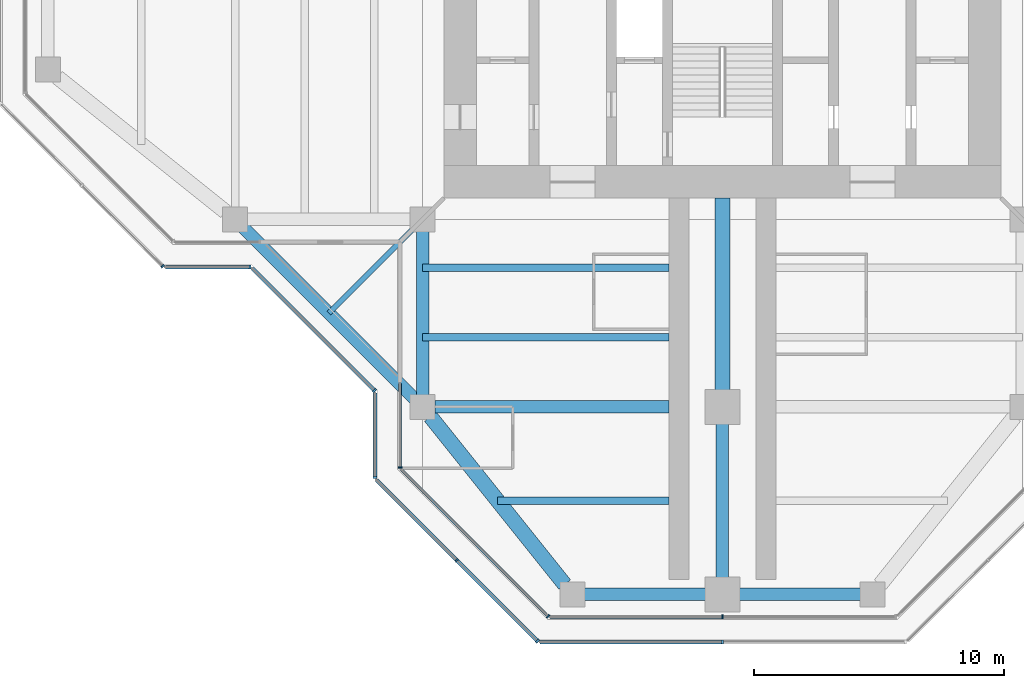
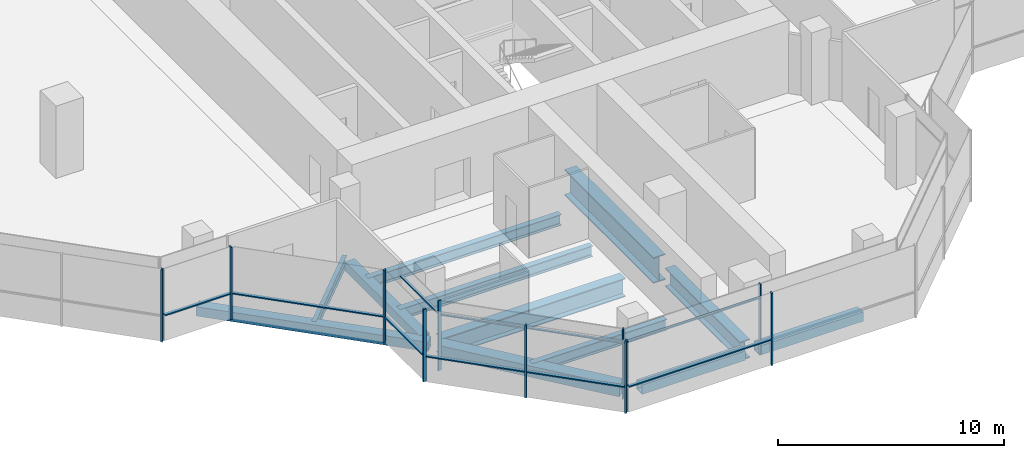
# One storey, part 2 of 15: 19 members, 12 beams, 9 elements without a shape of their own.
"""IFC4 building model written with IfcOpenShell, lengths in metres."""

from ifc_helpers import new_model, si_unit, direction, frame, origin, origin_2d, place, context, subcontext, project, spatial, rectangle, hollow_rectangle, i_section, extrude, material, material_profile, profile_set, type_object, element, aggregate, save


model = new_model("IFC4")

# Units and contexts
model_context = context("Model", 3, precision=1e-05, world=origin(), true_north=direction((0.0, 1.0)))
body_context = subcontext(model_context, "Body", "Model", "MODEL_VIEW")
ifc_project = project(units=[si_unit("LENGTHUNIT", "METRE"), si_unit("AREAUNIT", "SQUARE_METRE"), si_unit("VOLUMEUNIT", "CUBIC_METRE"), si_unit("PLANEANGLEUNIT", "RADIAN"), si_unit("MASSUNIT", "GRAM", prefix="KILO")], contexts=[model_context])

# Site, building, storey
site_placement = place(None, origin())
site = spatial("IfcSite", under=ifc_project, at=site_placement, CompositionType="ELEMENT")
building_placement = place(site_placement, origin())
building = spatial("IfcBuilding", under=site, at=building_placement, Name="Mizan Broadcast Tower", CompositionType="ELEMENT")
storey_placement = place(building_placement, frame((0.0, 0.0, 275.10009765625)))
storey = spatial("IfcBuildingStorey", under=building, at=storey_placement, Name="L65", CompositionType="ELEMENT", Elevation=275.10009765625)

# Beams
ifc_material_1 = material(Name="Steel S355", Category="steel")
ifc_material_profile_1 = material_profile(ifc_material_1, hollow_rectangle(XDim=0.5, YDim=0.5, WallThickness=0.030029296875, at=origin_2d()), Name="BOX 500x500x30")
ifc_profile_set_1 = profile_set([ifc_material_profile_1], Name="Steel S355")
beam_type_1 = type_object("IfcBeamType", Name="EDGE BEAM BOX 500x500x30", PredefinedType="SPANDREL", material=ifc_profile_set_1)
beam_1_placement = place(storey_placement, frame((-12.0, -12.449951171875, -0.380126953125), z_axis=(0.0, -1.0, 0.0), x_axis=(1.0, 0.0, 0.0)))
element("IfcBeam", 1, at=beam_1_placement, inside=storey, type_object=beam_type_1, Name="Edge beam BOX 500x500x30 L65 south arm", PredefinedType="SPANDREL", context=body_context, shape_type="SweptSolid", body=[
    extrude(hollow_rectangle(XDim=0.5, YDim=0.5, WallThickness=0.030029296875, at=origin_2d()), origin(), (0.0, 0.0, 1.0), 6.60009765625),
])
for number, where, z_axis, x_axis, name in (
    (2, (-5.639892578125, -27.0, -0.380126953125), (1.0, 0.0, 0.0), (0.0, 1.0, 0.0), "Edge beam BOX 500x500x30 L65 south arm"),
    (3, (5.639892578125, -27.0, -0.380126953125), (-1.0, 0.0, 0.0), (0.0, -1.0, 0.0), "Edge beam BOX 500x500x30 L65 south arm"),
):
    element("IfcBeam", number, at=place(storey_placement, frame(where, z_axis=z_axis, x_axis=x_axis)), inside=storey, type_object=beam_type_1, Name=name, PredefinedType="SPANDREL", context=body_context, shape_type="SweptSolid", body=[
        extrude(hollow_rectangle(XDim=0.5, YDim=0.5, WallThickness=0.030029296875, at=origin_2d()), origin(), (0.0, 0.0, 1.0), 5.27978515625),
    ])
beam_2_placement = place(storey_placement, frame((-19.5, -12.0, -0.380126953125), z_axis=(0.707106781187, -0.707106781187, 0.0), x_axis=(0.707106781187, 0.707106781187, 0.0)))
element("IfcBeam", 4, at=beam_2_placement, inside=storey, type_object=beam_type_1, Name="Winter garden edge beam L65 W", PredefinedType="SPANDREL", context=body_context, shape_type="SweptSolid", body=[
    extrude(hollow_rectangle(XDim=0.5, YDim=0.5, WallThickness=0.030029296875, at=origin_2d()), origin(), (0.0, 0.0, 1.0), 10.606689453125),
])
ifc_material_2 = material(Name="Steel S355", Category="steel")
ifc_material_profile_2 = material_profile(ifc_material_2, hollow_rectangle(XDim=0.60009765625, YDim=0.60009765625, WallThickness=0.030029296875, at=origin_2d()), Name="BOX 600x600x30")
ifc_profile_set_2 = profile_set([ifc_material_profile_2], Name="Steel S355")
beam_type_2 = type_object("IfcBeamType", Name="EDGE BEAM BOX 600x600x30", PredefinedType="SPANDREL", material=ifc_profile_set_2)
beam_3_placement = place(storey_placement, frame((-11.687744140625, -19.890380859375, -0.43017578125), z_axis=(0.62470196761, -0.780863273348, 0.0), x_axis=(0.780863273348, 0.62470196761, 0.0)))
element("IfcBeam", 5, at=beam_3_placement, inside=storey, type_object=beam_type_2, Name="Edge beam BOX 600x600x30 L65 south arm", PredefinedType="SPANDREL", context=body_context, shape_type="SweptSolid", body=[
    extrude(hollow_rectangle(XDim=0.60009765625, YDim=0.60009765625, WallThickness=0.030029296875, at=origin_2d()), origin(), (0.0, 0.0, 1.0), 8.60498046875),
])
ifc_material_3 = material(Name="Steel S460", Category="steel")
ifc_material_profile_3 = material_profile(ifc_material_3, i_section(OverallWidth=0.5, OverallDepth=1.0, WebThickness=0.02490234375, FlangeThickness=0.050048828125, at=origin_2d()), Name="WPG 1000x500")
ifc_profile_set_3 = profile_set([ifc_material_profile_3], Name="Steel S460")
beam_type_3 = type_object("IfcBeamType", Name="GIRDER WPG 1000x500", PredefinedType="BEAM", material=ifc_profile_set_3)
beam_4_placement = place(storey_placement, frame((0.0, -19.949951171875, -0.630126953125), z_axis=(0.0, -1.0, 0.0), x_axis=(1.0, 0.0, 0.0)))
element("IfcBeam", 6, at=beam_4_placement, inside=storey, type_object=beam_type_3, Name="Girder WPG 1000x500 L65 south arm", PredefinedType="BEAM", context=body_context, shape_type="SweptSolid", body=[
    extrude(i_section(OverallWidth=0.5, OverallDepth=1.0, WebThickness=0.02490234375, FlangeThickness=0.050048828125, at=origin_2d()), origin(), (0.0, 0.0, 1.0), 6.60009765625),
])
beam_5_placement = place(storey_placement, frame((-11.5, -19.5, -0.630126953125), z_axis=(1.0, 0.0, 0.0), x_axis=(0.0, 1.0, 0.0)))
element("IfcBeam", 7, at=beam_5_placement, inside=storey, type_object=beam_type_3, Name="Girder WPG 1000x500 L65 south arm", PredefinedType="BEAM", context=body_context, shape_type="SweptSolid", body=[
    extrude(i_section(OverallWidth=0.5, OverallDepth=1.0, WebThickness=0.02490234375, FlangeThickness=0.050048828125, at=origin_2d()), origin(), (0.0, 0.0, 1.0), 9.35009765625),
])
ifc_material_4 = material(Name="Steel S460", Category="steel")
ifc_material_profile_4 = material_profile(ifc_material_4, i_section(OverallWidth=0.60009765625, OverallDepth=1.39990234375, WebThickness=0.02490234375, FlangeThickness=0.06005859375, at=origin_2d()), Name="WPG 1400x600")
ifc_profile_set_4 = profile_set([ifc_material_profile_4], Name="Steel S460")
beam_type_4 = type_object("IfcBeamType", Name="GIRDER WPG 1400x600", PredefinedType="BEAM", material=ifc_profile_set_4)
beam_6_placement = place(storey_placement, frame((0.0, -11.14990234375, -0.830078125), z_axis=(0.0, -1.0, 0.0), x_axis=(1.0, 0.0, 0.0)))
element("IfcBeam", 8, at=beam_6_placement, inside=storey, type_object=beam_type_4, Name="Girder WPG 1400x600 L65 south arm", PredefinedType="BEAM", context=body_context, shape_type="SweptSolid", body=[
    extrude(i_section(OverallWidth=0.60009765625, OverallDepth=1.39990234375, WebThickness=0.02490234375, FlangeThickness=0.06005859375, at=origin_2d()), origin(), (0.0, 0.0, 1.0), 7.84912109375),
])

# Curtain wall, member
ifc_material_5 = material(Name="Aluminium framed glazing", Category="aluminium")
curtain_wall_type_1 = type_object("IfcCurtainWallType", Name="INNER SKIN TOP ZONE", PredefinedType="USERDEFINED", material=ifc_material_5)
curtain_wall_1_placement = place(storey_placement, origin())
curtain_wall_1 = element("IfcCurtainWall", 9, at=curtain_wall_1_placement, inside=storey, type_object=curtain_wall_type_1, Name="Inner skin top zone L65 S side", ObjectType="INNER SKIN TOP ZONE", PredefinedType="USERDEFINED")
ifc_material_6 = material(Name="Aluminium, pale anodised", Category="aluminium")
ifc_material_profile_5 = material_profile(ifc_material_6, rectangle(XDim=0.159912109375, YDim=0.06005859375, at=origin_2d()), Name="MULLION 160x60")
ifc_profile_set_5 = profile_set([ifc_material_profile_5], Name="Aluminium, pale anodised")
member_type_1 = type_object("IfcMemberType", Name="INNER SKIN MULLION 60x160", PredefinedType="MULLION", material=ifc_profile_set_5)
member_1_placement = place(storey_placement, frame((-12.89990234375, -21.928466796875, 0.0), z_axis=(0.0, 0.0, 1.0), x_axis=(1.0, 0.0, 0.0)))
member_1 = element("IfcMember", 10, at=member_1_placement, type_object=member_type_1, Name="Inner skin top zone L65 S side mullion 2", PredefinedType="MULLION", context=body_context, shape_type="SweptSolid", body=[
    extrude(rectangle(XDim=0.159912109375, YDim=0.06005859375, at=origin_2d()), origin(), (0.0, 0.0, 1.0), 3.77001953125),
])

curtain_wall_2_placement = place(storey_placement, origin())
curtain_wall_2 = element("IfcCurtainWall", 11, at=curtain_wall_2_placement, inside=storey, type_object=curtain_wall_type_1, Name="Inner skin top zone L65 S chamfer", ObjectType="INNER SKIN TOP ZONE", PredefinedType="USERDEFINED")
member_2_placement = place(storey_placement, frame((-6.979736328125, -27.87890625, 0.0), z_axis=(0.0, 0.0, 1.0), x_axis=(0.707106781187, 0.707106781187, 0.0)))
member_2 = element("IfcMember", 12, at=member_2_placement, type_object=member_type_1, Name="Inner skin top zone L65 S chamfer mullion 2", PredefinedType="MULLION", context=body_context, shape_type="SweptSolid", body=[
    extrude(rectangle(XDim=0.159912109375, YDim=0.06005859375, at=origin_2d()), origin(), (0.0, 0.0, 1.0), 3.77001953125),
])

curtain_wall_3_placement = place(storey_placement, origin())
curtain_wall_3 = element("IfcCurtainWall", 13, at=curtain_wall_3_placement, inside=storey, type_object=curtain_wall_type_1, Name="Inner skin top zone L65 S end", ObjectType="INNER SKIN TOP ZONE", PredefinedType="USERDEFINED")
member_3_placement = place(storey_placement, frame((0.0, -27.89990234375, 0.0), z_axis=(0.0, 0.0, 1.0), x_axis=(0.0, 1.0, 0.0)))
member_3 = element("IfcMember", 14, at=member_3_placement, type_object=member_type_1, Name="Inner skin top zone L65 S end mullion 2", PredefinedType="MULLION", context=body_context, shape_type="SweptSolid", body=[
    extrude(rectangle(XDim=0.159912109375, YDim=0.06005859375, at=origin_2d()), origin(), (0.0, 0.0, 1.0), 3.77001953125),
])

# Member
ifc_material_7 = material(Name="Aluminium, pale anodised", Category="aluminium")
ifc_material_profile_6 = material_profile(ifc_material_7, rectangle(XDim=0.1201171875, YDim=0.06005859375, at=origin_2d()), Name="TRANSOM 120x60")
ifc_profile_set_6 = profile_set([ifc_material_profile_6], Name="Aluminium, pale anodised")
member_type_2 = type_object("IfcMemberType", Name="INNER SKIN TRANSOM 60x120", PredefinedType="USERDEFINED", material=ifc_profile_set_6)
member_4_placement = place(storey_placement, frame((-12.89990234375, -18.56005859375, 3.02978515625), z_axis=(0.0, -1.0, 0.0), x_axis=(1.0, 0.0, 0.0)))
member_4 = element("IfcMember", 15, at=member_4_placement, type_object=member_type_2, Name="Inner skin top zone L65 S side transom 1.1", ObjectType="TRANSOM", PredefinedType="USERDEFINED", context=body_context, shape_type="SweptSolid", body=[
    extrude(rectangle(XDim=0.1201171875, YDim=0.06005859375, at=origin_2d()), origin(), (0.0, 0.0, 1.0), 3.338623046875),
])

aggregate(curtain_wall_1, [member_1, member_4])

member_5_placement = place(storey_placement, frame((-12.857666015625, -22.0009765625, 3.02978515625), z_axis=(0.707106781187, -0.707106781187, 0.0), x_axis=(0.707106781187, 0.707106781187, 0.0)))
member_5 = element("IfcMember", 16, at=member_5_placement, type_object=member_type_2, Name="Inner skin top zone L65 S chamfer transom 1.1", ObjectType="TRANSOM", PredefinedType="USERDEFINED", context=body_context, shape_type="SweptSolid", body=[
    extrude(rectangle(XDim=0.1201171875, YDim=0.06005859375, at=origin_2d()), origin(), (0.0, 0.0, 1.0), 8.28271484375),
])

aggregate(curtain_wall_2, [member_2, member_5])

member_6_placement = place(storey_placement, frame((-6.898681640625, -27.89990234375, 3.02978515625), z_axis=(1.0, 0.0, 0.0), x_axis=(0.0, 1.0, 0.0)))
member_6 = element("IfcMember", 17, at=member_6_placement, type_object=member_type_2, Name="Inner skin top zone L65 S end transom 1.1", ObjectType="TRANSOM", PredefinedType="USERDEFINED", context=body_context, shape_type="SweptSolid", body=[
    extrude(rectangle(XDim=0.1201171875, YDim=0.06005859375, at=origin_2d()), origin(), (0.0, 0.0, 1.0), 6.86865234375),
])

aggregate(curtain_wall_3, [member_3, member_6])

# Curtain wall, member
ifc_material_8 = material(Name="Aluminium framed glazing", Category="aluminium")
curtain_wall_type_2 = type_object("IfcCurtainWallType", Name="OUTER SKIN", PredefinedType="USERDEFINED", material=ifc_material_8)
curtain_wall_4_placement = place(storey_placement, origin())
curtain_wall_4 = element("IfcCurtainWall", 18, at=curtain_wall_4_placement, inside=storey, type_object=curtain_wall_type_2, Name="Outer skin L65 W chamfer", ObjectType="OUTER SKIN", PredefinedType="USERDEFINED")
ifc_material_9 = material(Name="Aluminium, pale anodised", Category="aluminium")
ifc_material_profile_7 = material_profile(ifc_material_9, rectangle(XDim=0.159912109375, YDim=0.080078125, at=origin_2d()), Name="MULLION 160x80")
ifc_profile_set_7 = profile_set([ifc_material_profile_7], Name="Aluminium, pale anodised")
member_type_3 = type_object("IfcMemberType", Name="OUTER SKIN MULLION 80x160", PredefinedType="MULLION", material=ifc_profile_set_7)
member_7_placement = place(storey_placement, frame((-22.401123046875, -13.871826171875, 0.0), z_axis=(0.0, 0.0, 1.0), x_axis=(0.707106781187, 0.707106781187, 0.0)))
member_7 = element("IfcMember", 19, at=member_7_placement, type_object=member_type_3, Name="Outer skin L65 W chamfer mullion 3", PredefinedType="MULLION", context=body_context, shape_type="SweptSolid", body=[
    extrude(rectangle(XDim=0.159912109375, YDim=0.080078125, at=origin_2d()), origin(), (0.0, 0.0, 1.0), 3.89990234375),
])
aggregate(curtain_wall_4, [member_7])

curtain_wall_5_placement = place(storey_placement, origin())
curtain_wall_5 = element("IfcCurtainWall", 20, at=curtain_wall_5_placement, inside=storey, type_object=curtain_wall_type_2, Name="Outer skin L65 W side", ObjectType="OUTER SKIN", PredefinedType="USERDEFINED")
member_8_placement = place(storey_placement, frame((-18.912841796875, -13.89990234375, 0.0), z_axis=(0.0, 0.0, 1.0), x_axis=(0.0, 1.0, 0.0)))
member_8 = element("IfcMember", 21, at=member_8_placement, type_object=member_type_3, Name="Outer skin L65 W side mullion 2", PredefinedType="MULLION", context=body_context, shape_type="SweptSolid", body=[
    extrude(rectangle(XDim=0.159912109375, YDim=0.080078125, at=origin_2d()), origin(), (0.0, 0.0, 1.0), 3.89990234375),
])

curtain_wall_6_placement = place(storey_placement, origin())
curtain_wall_6 = element("IfcCurtainWall", 22, at=curtain_wall_6_placement, inside=storey, type_object=curtain_wall_type_2, Name="Outer skin L65 W chamfer", ObjectType="OUTER SKIN", PredefinedType="USERDEFINED")
member_9_placement = place(storey_placement, frame((-13.92822265625, -18.844482421875, 0.0), z_axis=(0.0, 0.0, 1.0), x_axis=(0.707106781187, 0.707106781187, 0.0)))
member_9 = element("IfcMember", 23, at=member_9_placement, type_object=member_type_3, Name="Outer skin L65 W chamfer mullion 2", PredefinedType="MULLION", context=body_context, shape_type="SweptSolid", body=[
    extrude(rectangle(XDim=0.159912109375, YDim=0.080078125, at=origin_2d()), origin(), (0.0, 0.0, 1.0), 3.89990234375),
])

curtain_wall_7_placement = place(storey_placement, origin())
curtain_wall_7 = element("IfcCurtainWall", 24, at=curtain_wall_7_placement, inside=storey, type_object=curtain_wall_type_2, Name="Outer skin L65 S side", ObjectType="OUTER SKIN", PredefinedType="USERDEFINED")
member_10_placement = place(storey_placement, frame((-13.89990234375, -22.332763671875, 0.0), z_axis=(0.0, 0.0, 1.0), x_axis=(1.0, 0.0, 0.0)))
member_10 = element("IfcMember", 25, at=member_10_placement, type_object=member_type_3, Name="Outer skin L65 S side mullion 2", PredefinedType="MULLION", context=body_context, shape_type="SweptSolid", body=[
    extrude(rectangle(XDim=0.159912109375, YDim=0.080078125, at=origin_2d()), origin(), (0.0, 0.0, 1.0), 3.89990234375),
])

# Curtain wall, members
curtain_wall_8_placement = place(storey_placement, origin())
curtain_wall_8 = element("IfcCurtainWall", 26, at=curtain_wall_8_placement, inside=storey, type_object=curtain_wall_type_2, Name="Outer skin L65 S chamfer", ObjectType="OUTER SKIN", PredefinedType="USERDEFINED")
member_11_placement = place(storey_placement, frame((-10.636474609375, -25.636474609375, 0.0), z_axis=(0.0, 0.0, 1.0), x_axis=(0.707106781187, 0.707106781187, 0.0)))
member_11 = element("IfcMember", 27, at=member_11_placement, type_object=member_type_3, Name="Outer skin L65 S chamfer mullion 2", PredefinedType="MULLION", context=body_context, shape_type="SweptSolid", body=[
    extrude(rectangle(XDim=0.159912109375, YDim=0.080078125, at=origin_2d()), origin(), (0.0, 0.0, 1.0), 3.89990234375),
])
member_12_placement = place(storey_placement, frame((-7.401123046875, -28.871826171875, 0.0), z_axis=(0.0, 0.0, 1.0), x_axis=(0.707106781187, 0.707106781187, 0.0)))
member_12 = element("IfcMember", 28, at=member_12_placement, type_object=member_type_3, Name="Outer skin L65 S chamfer mullion 3", PredefinedType="MULLION", context=body_context, shape_type="SweptSolid", body=[
    extrude(rectangle(XDim=0.159912109375, YDim=0.080078125, at=origin_2d()), origin(), (0.0, 0.0, 1.0), 3.89990234375),
])

# Curtain wall, member
curtain_wall_9_placement = place(storey_placement, origin())
curtain_wall_9 = element("IfcCurtainWall", 29, at=curtain_wall_9_placement, inside=storey, type_object=curtain_wall_type_2, Name="Outer skin L65 S end", ObjectType="OUTER SKIN", PredefinedType="USERDEFINED")
member_13_placement = place(storey_placement, frame((0.0, -28.89990234375, 0.0), z_axis=(0.0, 0.0, 1.0), x_axis=(0.0, 1.0, 0.0)))
member_13 = element("IfcMember", 30, at=member_13_placement, type_object=member_type_3, Name="Outer skin L65 S end mullion 2", PredefinedType="MULLION", context=body_context, shape_type="SweptSolid", body=[
    extrude(rectangle(XDim=0.159912109375, YDim=0.080078125, at=origin_2d()), origin(), (0.0, 0.0, 1.0), 3.89990234375),
])

# Member
ifc_material_10 = material(Name="Aluminium, pale anodised", Category="aluminium")
ifc_material_profile_8 = material_profile(ifc_material_10, rectangle(XDim=0.159912109375, YDim=0.06005859375, at=origin_2d()), Name="TRANSOM 160x60")
ifc_profile_set_8 = profile_set([ifc_material_profile_8], Name="Aluminium, pale anodised")
member_type_4 = type_object("IfcMemberType", Name="OUTER SKIN TRANSOM 60x160", PredefinedType="USERDEFINED", material=ifc_profile_set_8)
member_14_placement = place(storey_placement, frame((-22.292724609375, -13.89990234375, 1.39990234375), z_axis=(1.0, 0.0, 0.0), x_axis=(0.0, 1.0, 0.0)))
member_14 = element("IfcMember", 31, at=member_14_placement, type_object=member_type_4, Name="Outer skin L65 W side transom 1.1", ObjectType="TRANSOM", PredefinedType="USERDEFINED", context=body_context, shape_type="SweptSolid", body=[
    extrude(rectangle(XDim=0.159912109375, YDim=0.06005859375, at=origin_2d()), origin(), (0.0, 0.0, 1.0), 3.33984375),
])

aggregate(curtain_wall_5, [member_8, member_14])

member_15_placement = place(storey_placement, frame((-18.816162109375, -13.95654296875, 1.39990234375), z_axis=(0.707106781187, -0.707106781187, 0.0), x_axis=(0.707106781187, 0.707106781187, 0.0)))
member_15 = element("IfcMember", 32, at=member_15_placement, type_object=member_type_4, Name="Outer skin L65 W chamfer transom 1.1", ObjectType="TRANSOM", PredefinedType="USERDEFINED", context=body_context, shape_type="SweptSolid", body=[
    extrude(rectangle(XDim=0.159912109375, YDim=0.06005859375, at=origin_2d()), origin(), (0.0, 0.0, 1.0), 6.87255859375),
])

aggregate(curtain_wall_6, [member_9, member_15])

member_16_placement = place(storey_placement, frame((-13.89990234375, -18.952880859375, 1.39990234375), z_axis=(0.0, -1.0, 0.0), x_axis=(1.0, 0.0, 0.0)))
member_16 = element("IfcMember", 33, at=member_16_placement, type_object=member_type_4, Name="Outer skin L65 S side transom 1.1", ObjectType="TRANSOM", PredefinedType="USERDEFINED", context=body_context, shape_type="SweptSolid", body=[
    extrude(rectangle(XDim=0.159912109375, YDim=0.06005859375, at=origin_2d()), origin(), (0.0, 0.0, 1.0), 3.33984375),
])

aggregate(curtain_wall_7, [member_10, member_16])

member_17_placement = place(storey_placement, frame((-13.843505859375, -22.429443359375, 1.39990234375), z_axis=(0.707106781187, -0.707106781187, 0.0), x_axis=(0.707106781187, 0.707106781187, 0.0)))
member_17 = element("IfcMember", 34, at=member_17_placement, type_object=member_type_4, Name="Outer skin L65 S chamfer transom 1.1", ObjectType="TRANSOM", PredefinedType="USERDEFINED", context=body_context, shape_type="SweptSolid", body=[
    extrude(rectangle(XDim=0.159912109375, YDim=0.06005859375, at=origin_2d()), origin(), (0.0, 0.0, 1.0), 4.495361328125),
])

member_18_placement = place(storey_placement, frame((-10.608154296875, -25.664794921875, 1.39990234375), z_axis=(0.707106781187, -0.707106781187, 0.0), x_axis=(0.707106781187, 0.707106781187, 0.0)))
member_18 = element("IfcMember", 35, at=member_18_placement, type_object=member_type_4, Name="Outer skin L65 S chamfer transom 2.1", ObjectType="TRANSOM", PredefinedType="USERDEFINED", context=body_context, shape_type="SweptSolid", body=[
    extrude(rectangle(XDim=0.159912109375, YDim=0.06005859375, at=origin_2d()), origin(), (0.0, 0.0, 1.0), 4.495361328125),
])

aggregate(curtain_wall_8, [member_11, member_12, member_17, member_18])

member_19_placement = place(storey_placement, frame((-7.292724609375, -28.89990234375, 1.39990234375), z_axis=(1.0, 0.0, 0.0), x_axis=(0.0, 1.0, 0.0)))
member_19 = element("IfcMember", 36, at=member_19_placement, type_object=member_type_4, Name="Outer skin L65 S end transom 1.1", ObjectType="TRANSOM", PredefinedType="USERDEFINED", context=body_context, shape_type="SweptSolid", body=[
    extrude(rectangle(XDim=0.159912109375, YDim=0.06005859375, at=origin_2d()), origin(), (0.0, 0.0, 1.0), 7.252685546875),
])

aggregate(curtain_wall_9, [member_13, member_19])

# Beams
ifc_material_11 = material(Name="Steel S355", Category="steel")
ifc_material_profile_9 = material_profile(ifc_material_11, i_section(OverallWidth=0.300048828125, OverallDepth=0.590087890625, WebThickness=0.012939453125, FlangeThickness=0.02490234375, FilletRadius=0.027099609375, at=origin_2d()), Name="HEA 600")
ifc_profile_set_9 = profile_set([ifc_material_profile_9], Name="Steel S355")
beam_type_5 = type_object("IfcBeamType", Name="SECONDARY BEAM HEA 600", PredefinedType="JOIST", material=ifc_profile_set_9)
for number, where, z_axis, x_axis, name in (
    (37, (-12.0, -13.933349609375, -0.425048828125), (1.0, 0.0, 0.0), (0.0, 1.0, 0.0), "Secondary beam HEA 600 L65 south arm"),
    (38, (-12.0, -16.716552734375, -0.425048828125), (1.0, 0.0, 0.0), (0.0, 1.0, 0.0), "Secondary beam HEA 600 L65 south arm"),
):
    element("IfcBeam", number, at=place(storey_placement, frame(where, z_axis=z_axis, x_axis=x_axis)), inside=storey, type_object=beam_type_5, Name=name, PredefinedType="JOIST", context=body_context, shape_type="SweptSolid", body=[
        extrude(i_section(OverallWidth=0.300048828125, OverallDepth=0.590087890625, WebThickness=0.012939453125, FlangeThickness=0.02490234375, FilletRadius=0.027099609375, at=origin_2d()), origin(), (0.0, 0.0, 1.0), 9.85009765625),
    ])
beam_7_placement = place(storey_placement, frame((-9.0, -23.25, -0.425048828125), z_axis=(1.0, 0.0, 0.0), x_axis=(0.0, 1.0, 0.0)))
element("IfcBeam", 39, at=beam_7_placement, inside=storey, type_object=beam_type_5, Name="Secondary beam HEA 600 L65 south arm", PredefinedType="JOIST", context=body_context, shape_type="SweptSolid", body=[
    extrude(i_section(OverallWidth=0.300048828125, OverallDepth=0.590087890625, WebThickness=0.012939453125, FlangeThickness=0.02490234375, FilletRadius=0.027099609375, at=origin_2d()), origin(), (0.0, 0.0, 1.0), 6.85009765625),
])
ifc_material_12 = material(Name="Steel S355", Category="steel")
ifc_material_profile_10 = material_profile(ifc_material_12, i_section(OverallWidth=0.2099609375, OverallDepth=0.550048828125, WebThickness=0.010986328125, FlangeThickness=0.01708984375, FilletRadius=0.02392578125, at=origin_2d()), Name="IPE 550")
ifc_profile_set_10 = profile_set([ifc_material_profile_10], Name="Steel S355")
beam_type_6 = type_object("IfcBeamType", Name="SECONDARY BEAM IPE 550", PredefinedType="JOIST", material=ifc_profile_set_10)
beam_8_placement = place(storey_placement, frame((-12.0, -12.0, -0.405029296875), z_axis=(-0.707106781187, -0.707106781187, 0.0), x_axis=(0.707106781187, -0.707106781187, 0.0)))
element("IfcBeam", 40, at=beam_8_placement, inside=storey, type_object=beam_type_6, Name="Winter garden beam L65 W", PredefinedType="JOIST", context=body_context, shape_type="SweptSolid", body=[
    extrude(i_section(OverallWidth=0.2099609375, OverallDepth=0.550048828125, WebThickness=0.010986328125, FlangeThickness=0.01708984375, FilletRadius=0.02392578125, at=origin_2d()), origin(), (0.0, 0.0, 1.0), 5.30322265625),
])

save(model, "model.ifc")
